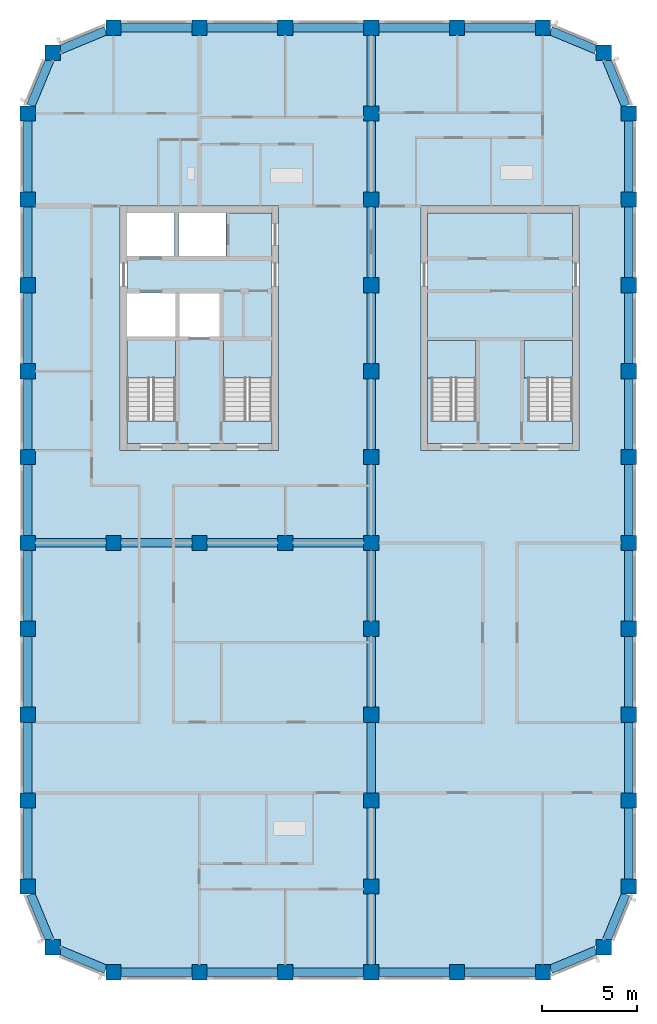
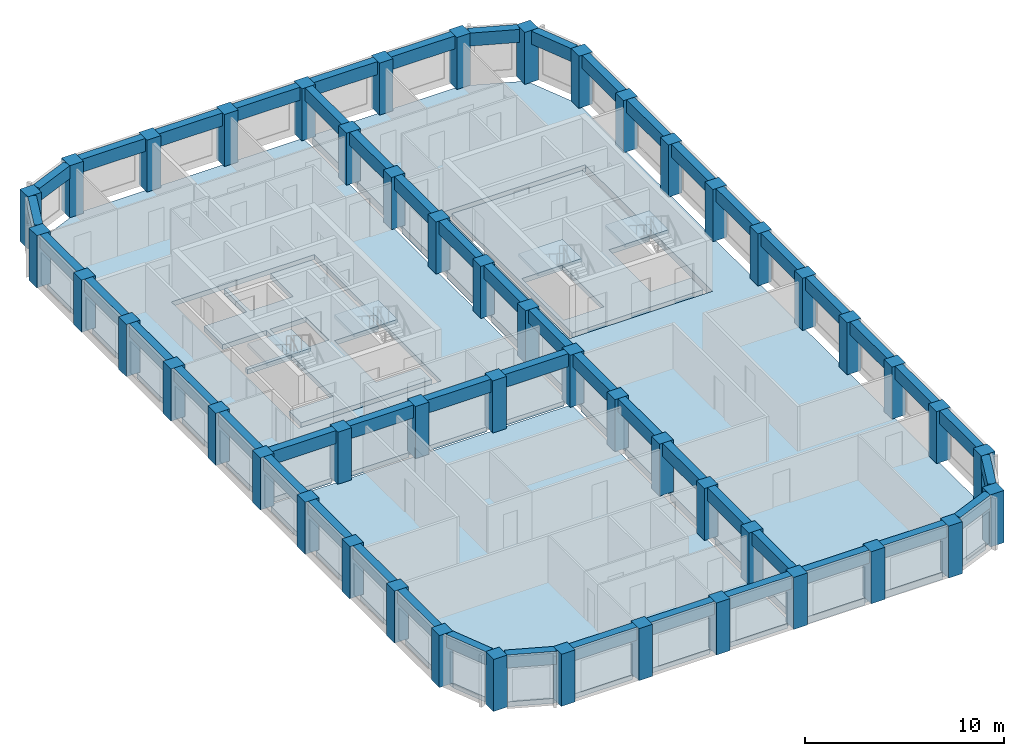
# One storey, part 1 of 9: 51 beams, 49 columns, 9 slabs, 4 elements without a shape of their own.
"""IFC4 building model written with IfcOpenShell, lengths in metres."""

from ifc_helpers import new_model, si_unit, direction, frame, origin, origin_2d, place, context, subcontext, project, spatial, polyline, rectangle, outline, extrude, material, layer, layer_set, material_profile, profile_set, type_object, element, aggregate, save


model = new_model("IFC4")

# Units and contexts
model_context = context("Model", 3, precision=1e-05, world=origin(), true_north=direction((0.0, 1.0)))
body_context = subcontext(model_context, "Body", "Model", "MODEL_VIEW")
ifc_project = project(units=[si_unit("LENGTHUNIT", "METRE"), si_unit("AREAUNIT", "SQUARE_METRE"), si_unit("VOLUMEUNIT", "CUBIC_METRE"), si_unit("PLANEANGLEUNIT", "RADIAN"), si_unit("MASSUNIT", "GRAM", prefix="KILO")], contexts=[model_context])

# Site, building, storey
site_placement = place(None, origin())
site = spatial("IfcSite", under=ifc_project, at=site_placement, CompositionType="ELEMENT")
building_placement = place(site_placement, origin())
building = spatial("IfcBuilding", under=site, at=building_placement, Name="Girih Gate Residences", CompositionType="ELEMENT")
storey_placement = place(building_placement, frame((0.0, 0.0, 213.294921875)))
storey = spatial("IfcBuildingStorey", under=building, at=storey_placement, Name="L59", CompositionType="ELEMENT", Elevation=213.294921875)

# Columns
ifc_material_1 = material(Name="Concrete C60/75", Category="concrete")
ifc_material_profile_1 = material_profile(ifc_material_1, rectangle(XDim=0.800048828125, YDim=0.800048828125, at=origin_2d()))
ifc_profile_set_1 = profile_set([ifc_material_profile_1], Name="Concrete C60/75")
column_type = type_object("IfcColumnType", Name="Pier RC 800x800 Concrete C60/75", PredefinedType="COLUMN", material=ifc_profile_set_1)
for number, where, z_axis, x_axis, name in (
    (1, (4.5, 0.0, 0.0), (0.0, 0.0, 1.0), (1.0, 0.0, 0.0), "Pier P2A L59"),
    (2, (9.0, 0.0, 0.0), (0.0, 0.0, 1.0), (1.0, 0.0, 0.0), "Pier P3A L59"),
    (3, (13.5, 0.0, 0.0), (0.0, 0.0, 1.0), (1.0, 0.0, 0.0), "Pier P4A L59"),
    (4, (18.0, 0.0, 0.0), (0.0, 0.0, 1.0), (1.0, 0.0, 0.0), "Pier P5A L59"),
    (5, (22.5, 0.0, 0.0), (0.0, 0.0, 1.0), (1.0, 0.0, 0.0), "Pier P6A L59"),
    (6, (27.0, 0.0, 0.0), (0.0, 0.0, 1.0), (1.0, 0.0, 0.0), "Pier P7A L59"),
    (7, (1.318115234375, 1.318115234375, 0.0), (0.0, 0.0, 1.0), (1.0, 0.0, 0.0), "Pier P1ANE L59"),
    (8, (30.181884765625, 1.318115234375, 0.0), (0.0, 0.0, 1.0), (1.0, 0.0, 0.0), "Pier P8ANW L59"),
    (9, (0.0, 4.5, 0.0), (0.0, 0.0, 1.0), (1.0, 0.0, 0.0), "Pier P1B L59"),
    (10, (18.0, 4.5, 0.0), (0.0, 0.0, 1.0), (1.0, 0.0, 0.0), "Pier P5B L59"),
    (11, (31.5, 4.5, 0.0), (0.0, 0.0, 1.0), (1.0, 0.0, 0.0), "Pier P8B L59"),
    (12, (0.0, 9.0, 0.0), (0.0, 0.0, 1.0), (1.0, 0.0, 0.0), "Pier P1C L59"),
    (13, (18.0, 9.0, 0.0), (0.0, 0.0, 1.0), (1.0, 0.0, 0.0), "Pier P5C L59"),
    (14, (31.5, 9.0, 0.0), (0.0, 0.0, 1.0), (1.0, 0.0, 0.0), "Pier P8C L59"),
    (15, (0.0, 13.5, 0.0), (0.0, 0.0, 1.0), (1.0, 0.0, 0.0), "Pier P1D L59"),
    (16, (18.0, 13.5, 0.0), (0.0, 0.0, 1.0), (1.0, 0.0, 0.0), "Pier P5D L59"),
    (17, (31.5, 13.5, 0.0), (0.0, 0.0, 1.0), (1.0, 0.0, 0.0), "Pier P8D L59"),
    (18, (0.0, 18.0, 0.0), (0.0, 0.0, 1.0), (1.0, 0.0, 0.0), "Pier P1E L59"),
    (19, (18.0, 18.0, 0.0), (0.0, 0.0, 1.0), (1.0, 0.0, 0.0), "Pier P5E L59"),
    (20, (31.5, 18.0, 0.0), (0.0, 0.0, 1.0), (1.0, 0.0, 0.0), "Pier P8E L59"),
    (21, (0.0, 22.5, 0.0), (0.0, 0.0, 1.0), (1.0, 0.0, 0.0), "Pier P1F L59"),
    (22, (4.5, 22.5, 0.0), (0.0, 0.0, 1.0), (1.0, 0.0, 0.0), "Pier P2F L59"),
    (23, (9.0, 22.5, 0.0), (0.0, 0.0, 1.0), (1.0, 0.0, 0.0), "Pier P3F L59"),
    (24, (13.5, 22.5, 0.0), (0.0, 0.0, 1.0), (1.0, 0.0, 0.0), "Pier P4F L59"),
    (25, (18.0, 22.5, 0.0), (0.0, 0.0, 1.0), (1.0, 0.0, 0.0), "Pier P5F L59"),
    (26, (31.5, 22.5, 0.0), (0.0, 0.0, 1.0), (1.0, 0.0, 0.0), "Pier P8F L59"),
    (27, (0.0, 27.0, 0.0), (0.0, 0.0, 1.0), (1.0, 0.0, 0.0), "Pier P1G L59"),
    (28, (18.0, 27.0, 0.0), (0.0, 0.0, 1.0), (1.0, 0.0, 0.0), "Pier P5G L59"),
    (29, (31.5, 27.0, 0.0), (0.0, 0.0, 1.0), (1.0, 0.0, 0.0), "Pier P8G L59"),
    (30, (0.0, 31.5, 0.0), (0.0, 0.0, 1.0), (1.0, 0.0, 0.0), "Pier P1H L59"),
    (31, (18.0, 31.5, 0.0), (0.0, 0.0, 1.0), (1.0, 0.0, 0.0), "Pier P5H L59"),
    (32, (31.5, 31.5, 0.0), (0.0, 0.0, 1.0), (1.0, 0.0, 0.0), "Pier P8H L59"),
    (33, (0.0, 36.0, 0.0), (0.0, 0.0, 1.0), (1.0, 0.0, 0.0), "Pier P1I L59"),
    (34, (18.0, 36.0, 0.0), (0.0, 0.0, 1.0), (1.0, 0.0, 0.0), "Pier P5I L59"),
    (35, (31.5, 36.0, 0.0), (0.0, 0.0, 1.0), (1.0, 0.0, 0.0), "Pier P8I L59"),
    (36, (0.0, 40.5, 0.0), (0.0, 0.0, 1.0), (1.0, 0.0, 0.0), "Pier P1J L59"),
    (37, (18.0, 40.5, 0.0), (0.0, 0.0, 1.0), (1.0, 0.0, 0.0), "Pier P5J L59"),
    (38, (31.5, 40.5, 0.0), (0.0, 0.0, 1.0), (1.0, 0.0, 0.0), "Pier P8J L59"),
    (39, (0.0, 45.0, 0.0), (0.0, 0.0, 1.0), (1.0, 0.0, 0.0), "Pier P1K L59"),
    (40, (18.0, 45.0, 0.0), (0.0, 0.0, 1.0), (1.0, 0.0, 0.0), "Pier P5K L59"),
    (41, (31.5, 45.0, 0.0), (0.0, 0.0, 1.0), (1.0, 0.0, 0.0), "Pier P8K L59"),
    (42, (1.318115234375, 48.181884765625, 0.0), (0.0, 0.0, 1.0), (1.0, 0.0, 0.0), "Pier P1LSE L59"),
    (43, (30.181884765625, 48.181884765625, 0.0), (0.0, 0.0, 1.0), (1.0, 0.0, 0.0), "Pier P8LSW L59"),
    (44, (4.5, 49.5, 0.0), (0.0, 0.0, 1.0), (1.0, 0.0, 0.0), "Pier P2L L59"),
    (45, (9.0, 49.5, 0.0), (0.0, 0.0, 1.0), (1.0, 0.0, 0.0), "Pier P3L L59"),
    (46, (13.5, 49.5, 0.0), (0.0, 0.0, 1.0), (1.0, 0.0, 0.0), "Pier P4L L59"),
    (47, (18.0, 49.5, 0.0), (0.0, 0.0, 1.0), (1.0, 0.0, 0.0), "Pier P5L L59"),
    (48, (22.5, 49.5, 0.0), (0.0, 0.0, 1.0), (1.0, 0.0, 0.0), "Pier P6L L59"),
    (49, (27.0, 49.5, 0.0), (0.0, 0.0, 1.0), (1.0, 0.0, 0.0), "Pier P7L L59"),
):
    element("IfcColumn", number, at=place(storey_placement, frame(where, z_axis=z_axis, x_axis=x_axis)), inside=storey, type_object=column_type, Name=name, PredefinedType="COLUMN", context=body_context, shape_type="SweptSolid", body=[
        extrude(rectangle(XDim=0.800048828125, YDim=0.800048828125, at=origin_2d()), origin(), (0.0, 0.0, 1.0), 3.2001953125),
    ])

# Beams
ifc_material_profile_2 = material_profile(ifc_material_1, rectangle(XDim=0.449951171875, YDim=0.800048828125, at=origin_2d()))
ifc_profile_set_2 = profile_set([ifc_material_profile_2], Name="Concrete C60/75")
beam_type = type_object("IfcBeamType", Name="Spandrel girder RC 450x800 Concrete C60/75", PredefinedType="BEAM", material=ifc_profile_set_2)
for number, where, z_axis, x_axis, name in (
    (50, (27.39990234375, 0.165771484375, 2.800048828125), (0.923895659062, 0.382644497107, 0.0), (-0.382644497107, 0.923895659062, 0.0), "Spandrel girder SP-P7A-P8ANW L59"),
    (51, (30.34765625, 1.718017578125, 2.800048828125), (0.382644497107, 0.923895659062, 0.0), (-0.923895659062, 0.382644497107, 0.0), "Spandrel girder SP-P8ANW-P8B L59"),
):
    element("IfcBeam", number, at=place(storey_placement, frame(where, z_axis=z_axis, x_axis=x_axis)), inside=storey, type_object=beam_type, Name=name, PredefinedType="BEAM", context=body_context, shape_type="SweptSolid", body=[
        extrude(rectangle(XDim=0.449951171875, YDim=0.800048828125, at=origin_2d()), origin(), (0.0, 0.0, 1.0), 2.578369140625),
    ])
for number, where, z_axis, x_axis, name in (
    (52, (31.5, 4.89990234375, 2.800048828125), (0.0, 1.0, 0.0), (-1.0, 0.0, 0.0), "Spandrel girder SP-P8B-P8C L59"),
    (53, (31.5, 9.39990234375, 2.800048828125), (0.0, 1.0, 0.0), (-1.0, 0.0, 0.0), "Spandrel girder SP-P8C-P8D L59"),
    (54, (31.5, 13.89990234375, 2.800048828125), (0.0, 1.0, 0.0), (-1.0, 0.0, 0.0), "Spandrel girder SP-P8D-P8E L59"),
    (55, (31.5, 18.39990234375, 2.800048828125), (0.0, 1.0, 0.0), (-1.0, 0.0, 0.0), "Spandrel girder SP-P8E-P8F L59"),
    (56, (31.5, 22.89990234375, 2.800048828125), (0.0, 1.0, 0.0), (-1.0, 0.0, 0.0), "Spandrel girder SP-P8F-P8G L59"),
    (57, (31.5, 27.39990234375, 2.800048828125), (0.0, 1.0, 0.0), (-1.0, 0.0, 0.0), "Spandrel girder SP-P8G-P8H L59"),
    (58, (31.5, 31.89990234375, 2.800048828125), (0.0, 1.0, 0.0), (-1.0, 0.0, 0.0), "Spandrel girder SP-P8H-P8I L59"),
    (59, (31.5, 36.39990234375, 2.800048828125), (0.0, 1.0, 0.0), (-1.0, 0.0, 0.0), "Spandrel girder SP-P8I-P8J L59"),
    (60, (31.5, 40.89990234375, 2.800048828125), (0.0, 1.0, 0.0), (-1.0, 0.0, 0.0), "Spandrel girder SP-P8J-P8K L59"),
):
    element("IfcBeam", number, at=place(storey_placement, frame(where, z_axis=z_axis, x_axis=x_axis)), inside=storey, type_object=beam_type, Name=name, PredefinedType="BEAM", context=body_context, shape_type="SweptSolid", body=[
        extrude(rectangle(XDim=0.449951171875, YDim=0.800048828125, at=origin_2d()), origin(), (0.0, 0.0, 1.0), 3.7001953125),
    ])
for number, where, z_axis, x_axis, name in (
    (61, (31.334228515625, 45.39990234375, 2.800048828125), (-0.382644497107, 0.923895659062, 0.0), (-0.923895659062, -0.382644497107, 0.0), "Spandrel girder SP-P8K-P8LSW L59"),
    (62, (29.781982421875, 48.34765625, 2.800048828125), (-0.923895659062, 0.382644497107, 0.0), (-0.382644497107, -0.923895659062, 0.0), "Spandrel girder SP-P8LSW-P7L L59"),
):
    element("IfcBeam", number, at=place(storey_placement, frame(where, z_axis=z_axis, x_axis=x_axis)), inside=storey, type_object=beam_type, Name=name, PredefinedType="BEAM", context=body_context, shape_type="SweptSolid", body=[
        extrude(rectangle(XDim=0.449951171875, YDim=0.800048828125, at=origin_2d()), origin(), (0.0, 0.0, 1.0), 2.578369140625),
    ])
for number, where, z_axis, x_axis, name in (
    (63, (26.60009765625, 49.5, 2.800048828125), (-1.0, 0.0, 0.0), (0.0, -1.0, 0.0), "Spandrel girder SP-P7L-P6L L59"),
    (64, (22.10009765625, 49.5, 2.800048828125), (-1.0, 0.0, 0.0), (0.0, -1.0, 0.0), "Spandrel girder SP-P6L-P5L L59"),
    (65, (17.60009765625, 49.5, 2.800048828125), (-1.0, 0.0, 0.0), (0.0, -1.0, 0.0), "Spandrel girder SP-P5L-P4L L59"),
    (66, (13.10009765625, 49.5, 2.800048828125), (-1.0, 0.0, 0.0), (0.0, -1.0, 0.0), "Spandrel girder SP-P4L-P3L L59"),
    (67, (8.60009765625, 49.5, 2.800048828125), (-1.0, 0.0, 0.0), (0.0, -1.0, 0.0), "Spandrel girder SP-P3L-P2L L59"),
):
    element("IfcBeam", number, at=place(storey_placement, frame(where, z_axis=z_axis, x_axis=x_axis)), inside=storey, type_object=beam_type, Name=name, PredefinedType="BEAM", context=body_context, shape_type="SweptSolid", body=[
        extrude(rectangle(XDim=0.449951171875, YDim=0.800048828125, at=origin_2d()), origin(), (0.0, 0.0, 1.0), 3.7001953125),
    ])
for number, where, z_axis, x_axis, name in (
    (68, (4.10009765625, 49.334228515625, 2.800048828125), (-0.923895659062, -0.382644497107, 0.0), (0.382644497107, -0.923895659062, 0.0), "Spandrel girder SP-P2L-P1LSE L59"),
    (69, (1.15234375, 47.781982421875, 2.800048828125), (-0.382644497107, -0.923895659062, 0.0), (0.923895659062, -0.382644497107, 0.0), "Spandrel girder SP-P1LSE-P1K L59"),
):
    element("IfcBeam", number, at=place(storey_placement, frame(where, z_axis=z_axis, x_axis=x_axis)), inside=storey, type_object=beam_type, Name=name, PredefinedType="BEAM", context=body_context, shape_type="SweptSolid", body=[
        extrude(rectangle(XDim=0.449951171875, YDim=0.800048828125, at=origin_2d()), origin(), (0.0, 0.0, 1.0), 2.578369140625),
    ])
for number, where, z_axis, x_axis, name in (
    (70, (0.0, 44.60009765625, 2.800048828125), (0.0, -1.0, 0.0), (1.0, 0.0, 0.0), "Spandrel girder SP-P1K-P1J L59"),
    (71, (0.0, 40.10009765625, 2.800048828125), (0.0, -1.0, 0.0), (1.0, 0.0, 0.0), "Spandrel girder SP-P1J-P1I L59"),
    (72, (0.0, 35.60009765625, 2.800048828125), (0.0, -1.0, 0.0), (1.0, 0.0, 0.0), "Spandrel girder SP-P1I-P1H L59"),
    (73, (0.0, 31.10009765625, 2.800048828125), (0.0, -1.0, 0.0), (1.0, 0.0, 0.0), "Spandrel girder SP-P1H-P1G L59"),
    (74, (0.0, 26.60009765625, 2.800048828125), (0.0, -1.0, 0.0), (1.0, 0.0, 0.0), "Spandrel girder SP-P1G-P1F L59"),
    (75, (0.0, 22.10009765625, 2.800048828125), (0.0, -1.0, 0.0), (1.0, 0.0, 0.0), "Spandrel girder SP-P1F-P1E L59"),
    (76, (0.0, 17.60009765625, 2.800048828125), (0.0, -1.0, 0.0), (1.0, 0.0, 0.0), "Spandrel girder SP-P1E-P1D L59"),
    (77, (0.0, 13.10009765625, 2.800048828125), (0.0, -1.0, 0.0), (1.0, 0.0, 0.0), "Spandrel girder SP-P1D-P1C L59"),
    (78, (0.0, 8.60009765625, 2.800048828125), (0.0, -1.0, 0.0), (1.0, 0.0, 0.0), "Spandrel girder SP-P1C-P1B L59"),
):
    element("IfcBeam", number, at=place(storey_placement, frame(where, z_axis=z_axis, x_axis=x_axis)), inside=storey, type_object=beam_type, Name=name, PredefinedType="BEAM", context=body_context, shape_type="SweptSolid", body=[
        extrude(rectangle(XDim=0.449951171875, YDim=0.800048828125, at=origin_2d()), origin(), (0.0, 0.0, 1.0), 3.7001953125),
    ])
for number, where, z_axis, x_axis, name in (
    (79, (0.165771484375, 4.10009765625, 2.800048828125), (0.382644497107, -0.923895659062, 0.0), (0.923895659062, 0.382644497107, 0.0), "Spandrel girder SP-P1B-P1ANE L59"),
    (80, (1.718017578125, 1.15234375, 2.800048828125), (0.923895659062, -0.382644497107, 0.0), (0.382644497107, 0.923895659062, 0.0), "Spandrel girder SP-P1ANE-P2A L59"),
):
    element("IfcBeam", number, at=place(storey_placement, frame(where, z_axis=z_axis, x_axis=x_axis)), inside=storey, type_object=beam_type, Name=name, PredefinedType="BEAM", context=body_context, shape_type="SweptSolid", body=[
        extrude(rectangle(XDim=0.449951171875, YDim=0.800048828125, at=origin_2d()), origin(), (0.0, 0.0, 1.0), 2.578369140625),
    ])
for number, where, z_axis, x_axis, name in (
    (81, (4.89990234375, 0.0, 2.800048828125), (1.0, 0.0, 0.0), (0.0, 1.0, 0.0), "Spandrel girder SP-P2A-P3A L59"),
    (82, (9.39990234375, 0.0, 2.800048828125), (1.0, 0.0, 0.0), (0.0, 1.0, 0.0), "Spandrel girder SP-P3A-P4A L59"),
    (83, (13.89990234375, 0.0, 2.800048828125), (1.0, 0.0, 0.0), (0.0, 1.0, 0.0), "Spandrel girder SP-P4A-P5A L59"),
    (84, (18.39990234375, 0.0, 2.800048828125), (1.0, 0.0, 0.0), (0.0, 1.0, 0.0), "Spandrel girder SP-P5A-P6A L59"),
    (85, (22.89990234375, 0.0, 2.800048828125), (1.0, 0.0, 0.0), (0.0, 1.0, 0.0), "Spandrel girder SP-P6A-P7A L59"),
    (86, (18.0, 0.39990234375, 2.800048828125), (0.0, 1.0, 0.0), (-1.0, 0.0, 0.0), "Spandrel girder SP-P5A-P5B L59"),
    (87, (18.0, 4.89990234375, 2.800048828125), (0.0, 1.0, 0.0), (-1.0, 0.0, 0.0), "Spandrel girder SP-P5B-P5C L59"),
    (88, (18.0, 9.39990234375, 2.800048828125), (0.0, 1.0, 0.0), (-1.0, 0.0, 0.0), "Spandrel girder SP-P5C-P5D L59"),
    (89, (18.0, 13.89990234375, 2.800048828125), (0.0, 1.0, 0.0), (-1.0, 0.0, 0.0), "Spandrel girder SP-P5D-P5E L59"),
    (90, (18.0, 18.39990234375, 2.800048828125), (0.0, 1.0, 0.0), (-1.0, 0.0, 0.0), "Spandrel girder SP-P5E-P5F L59"),
    (91, (18.0, 22.89990234375, 2.800048828125), (0.0, 1.0, 0.0), (-1.0, 0.0, 0.0), "Spandrel girder SP-P5F-P5G L59"),
    (92, (18.0, 27.39990234375, 2.800048828125), (0.0, 1.0, 0.0), (-1.0, 0.0, 0.0), "Spandrel girder SP-P5G-P5H L59"),
    (93, (18.0, 31.89990234375, 2.800048828125), (0.0, 1.0, 0.0), (-1.0, 0.0, 0.0), "Spandrel girder SP-P5H-P5I L59"),
    (94, (18.0, 36.39990234375, 2.800048828125), (0.0, 1.0, 0.0), (-1.0, 0.0, 0.0), "Spandrel girder SP-P5I-P5J L59"),
    (95, (18.0, 40.89990234375, 2.800048828125), (0.0, 1.0, 0.0), (-1.0, 0.0, 0.0), "Spandrel girder SP-P5J-P5K L59"),
    (96, (18.0, 45.39990234375, 2.800048828125), (0.0, 1.0, 0.0), (-1.0, 0.0, 0.0), "Spandrel girder SP-P5K-P5L L59"),
    (97, (0.39990234375, 22.5, 2.800048828125), (1.0, 0.0, 0.0), (0.0, 1.0, 0.0), "Spandrel girder SP-P1F-P2F L59"),
    (98, (4.89990234375, 22.5, 2.800048828125), (1.0, 0.0, 0.0), (0.0, 1.0, 0.0), "Spandrel girder SP-P2F-P3F L59"),
    (99, (9.39990234375, 22.5, 2.800048828125), (1.0, 0.0, 0.0), (0.0, 1.0, 0.0), "Spandrel girder SP-P3F-P4F L59"),
    (100, (13.89990234375, 22.5, 2.800048828125), (1.0, 0.0, 0.0), (0.0, 1.0, 0.0), "Spandrel girder SP-P4F-P5F L59"),
):
    element("IfcBeam", number, at=place(storey_placement, frame(where, z_axis=z_axis, x_axis=x_axis)), inside=storey, type_object=beam_type, Name=name, PredefinedType="BEAM", context=body_context, shape_type="SweptSolid", body=[
        extrude(rectangle(XDim=0.449951171875, YDim=0.800048828125, at=origin_2d()), origin(), (0.0, 0.0, 1.0), 3.7001953125),
    ])

# Slabs
ifc_material_2 = material(Name="Concrete C40/50", Category="concrete")
ifc_layer_1 = layer(ifc_material_2, 0.300048828125)
ifc_layer_set_1 = layer_set([ifc_layer_1], Name="Core floor slab 300")
slab_type_1 = type_object("IfcSlabType", Name="Core floor slab 300", PredefinedType="FLOOR", material=ifc_layer_set_1)
slab_1_placement = place(storey_placement, frame((0.0, 0.0, -0.2998046875)))
element("IfcSlab", 101, at=slab_1_placement, inside=storey, type_object=slab_type_1, Name="L59 W core floor", PredefinedType="FLOOR", context=body_context, shape_type="SweptSolid", body=[
    extrude(outline(polyline([(12.800048828125, 27.699951171875), (5.199951171875, 27.699951171875), (5.199951171875, 28.900634765625), (7.75, 28.900634765625), (7.75, 33.10009765625), (5.199951171875, 33.10009765625), (5.199951171875, 33.300048828125), (7.75, 33.300048828125), (7.75, 35.60009765625), (5.199951171875, 35.60009765625), (5.199951171875, 37.5), (7.699951171875, 37.5), (7.699951171875, 39.800048828125), (7.89990234375, 39.800048828125), (7.89990234375, 37.5), (10.39990234375, 37.5), (10.39990234375, 39.800048828125), (12.800048828125, 39.800048828125), (12.800048828125, 33.10009765625), (10.25, 33.10009765625), (10.25, 28.900634765625), (12.800048828125, 28.900634765625), (12.800048828125, 27.699951171875)]), holes=[polyline([(7.949951171875, 33.300048828125), (10.050048828125, 33.300048828125), (10.050048828125, 35.60009765625), (7.949951171875, 35.60009765625), (7.949951171875, 33.300048828125)])]), origin(), (0.0, 0.0, 1.0), 0.2998046875),
])
slab_2_placement = place(storey_placement, frame((0.0, 0.0, -0.2998046875)))
element("IfcSlab", 102, at=slab_2_placement, inside=storey, type_object=slab_type_1, Name="L59 C core floor", PredefinedType="FLOOR", context=body_context, shape_type="SweptSolid", body=[
    extrude(outline(polyline([(28.550048828125, 27.699951171875), (20.949951171875, 27.699951171875), (20.949951171875, 39.800048828125), (28.550048828125, 39.800048828125), (28.550048828125, 33.10009765625), (26.199951171875, 33.10009765625), (26.199951171875, 28.900634765625), (28.550048828125, 28.900634765625), (28.550048828125, 27.699951171875)]), holes=[polyline([(23.5, 28.900634765625), (23.5, 33.10009765625), (21.14990234375, 33.10009765625), (21.14990234375, 28.900634765625), (23.5, 28.900634765625)])]), origin(), (0.0, 0.0, 1.0), 0.2998046875),
])
ifc_layer_2 = layer(ifc_material_2, 0.300048828125)
ifc_layer_set_2 = layer_set([ifc_layer_2], Name="Floor slab PT 300 Concrete C40/50")
slab_type_2 = type_object("IfcSlabType", Name="Floor slab PT 300 Concrete C40/50", PredefinedType="FLOOR", material=ifc_layer_set_2)
slab_3_placement = place(storey_placement, frame((0.0, 0.0, -0.2998046875)))
element("IfcSlab", 103, at=slab_3_placement, inside=storey, type_object=slab_type_2, Name="Floor slab L59 0", PredefinedType="FLOOR", context=body_context, shape_type="SweptSolid", body=[
    extrude(outline(polyline([(13.89990234375, 0.22509765625), (17.60009765625, 0.22509765625), (17.60009765625, 0.39990234375), (17.77490234375, 0.39990234375), (17.77490234375, 4.10009765625), (17.60009765625, 4.10009765625), (17.60009765625, 4.89990234375), (17.77490234375, 4.89990234375), (17.77490234375, 8.60009765625), (17.60009765625, 8.60009765625), (17.60009765625, 9.39990234375), (17.77490234375, 9.39990234375), (17.77490234375, 13.10009765625), (17.60009765625, 13.10009765625), (17.60009765625, 13.89990234375), (17.77490234375, 13.89990234375), (17.77490234375, 17.60009765625), (17.60009765625, 17.60009765625), (17.60009765625, 18.39990234375), (17.77490234375, 18.39990234375), (17.77490234375, 22.10009765625), (17.60009765625, 22.10009765625), (17.60009765625, 22.27490234375), (13.89990234375, 22.27490234375), (13.89990234375, 22.10009765625), (13.10009765625, 22.10009765625), (13.10009765625, 22.27490234375), (9.39990234375, 22.27490234375), (9.39990234375, 22.10009765625), (8.60009765625, 22.10009765625), (8.60009765625, 22.27490234375), (4.89990234375, 22.27490234375), (4.89990234375, 22.10009765625), (4.10009765625, 22.10009765625), (4.10009765625, 22.27490234375), (0.39990234375, 22.27490234375), (0.39990234375, 22.10009765625), (0.22509765625, 22.10009765625), (0.22509765625, 18.39990234375), (0.39990234375, 18.39990234375), (0.39990234375, 17.60009765625), (0.22509765625, 17.60009765625), (0.22509765625, 13.89990234375), (0.39990234375, 13.89990234375), (0.39990234375, 13.10009765625), (0.22509765625, 13.10009765625), (0.22509765625, 9.39990234375), (0.39990234375, 9.39990234375), (0.39990234375, 8.60009765625), (0.22509765625, 8.60009765625), (0.22509765625, 4.89990234375), (0.39990234375, 4.89990234375), (0.39990234375, 4.122314453125), (1.395751953125, 1.718017578125), (1.718017578125, 1.718017578125), (1.718017578125, 1.395751953125), (4.122314453125, 0.39990234375), (4.89990234375, 0.39990234375), (4.89990234375, 0.22509765625), (8.60009765625, 0.22509765625), (8.60009765625, 0.39990234375), (9.39990234375, 0.39990234375), (9.39990234375, 0.22509765625), (13.10009765625, 0.22509765625), (13.10009765625, 0.39990234375), (13.89990234375, 0.39990234375), (13.89990234375, 0.22509765625)])), origin(), (0.0, 0.0, 1.0), 0.2998046875),
])
slab_4_placement = place(storey_placement, frame((0.0, 0.0, -0.2998046875)))
element("IfcSlab", 104, at=slab_4_placement, inside=storey, type_object=slab_type_2, Name="Floor slab L59 2", PredefinedType="FLOOR", context=body_context, shape_type="SweptSolid", body=[
    extrude(outline(polyline([(0.22509765625, 26.60009765625), (0.22509765625, 22.89990234375), (0.39990234375, 22.89990234375), (0.39990234375, 22.72509765625), (4.10009765625, 22.72509765625), (4.10009765625, 22.89990234375), (4.89990234375, 22.89990234375), (4.89990234375, 22.72509765625), (8.60009765625, 22.72509765625), (8.60009765625, 22.89990234375), (9.39990234375, 22.89990234375), (9.39990234375, 22.72509765625), (13.10009765625, 22.72509765625), (13.10009765625, 22.89990234375), (13.89990234375, 22.89990234375), (13.89990234375, 22.72509765625), (17.60009765625, 22.72509765625), (17.60009765625, 22.89990234375), (17.77490234375, 22.89990234375), (17.77490234375, 26.60009765625), (17.60009765625, 26.60009765625), (17.60009765625, 27.39990234375), (17.77490234375, 27.39990234375), (17.77490234375, 31.10009765625), (17.60009765625, 31.10009765625), (17.60009765625, 31.89990234375), (17.77490234375, 31.89990234375), (17.77490234375, 35.60009765625), (17.60009765625, 35.60009765625), (17.60009765625, 36.39990234375), (17.77490234375, 36.39990234375), (17.77490234375, 40.10009765625), (17.60009765625, 40.10009765625), (17.60009765625, 40.89990234375), (17.77490234375, 40.89990234375), (17.77490234375, 44.60009765625), (17.60009765625, 44.60009765625), (17.60009765625, 45.39990234375), (17.77490234375, 45.39990234375), (17.77490234375, 49.10009765625), (17.60009765625, 49.10009765625), (17.60009765625, 49.27490234375), (13.89990234375, 49.27490234375), (13.89990234375, 49.10009765625), (13.10009765625, 49.10009765625), (13.10009765625, 49.27490234375), (9.39990234375, 49.27490234375), (9.39990234375, 49.10009765625), (8.60009765625, 49.10009765625), (8.60009765625, 49.27490234375), (4.89990234375, 49.27490234375), (4.89990234375, 49.10009765625), (4.122314453125, 49.10009765625), (1.718017578125, 48.104248046875), (1.718017578125, 47.781982421875), (1.395751953125, 47.781982421875), (0.39990234375, 45.377685546875), (0.39990234375, 44.60009765625), (0.22509765625, 44.60009765625), (0.22509765625, 40.89990234375), (0.39990234375, 40.89990234375), (0.39990234375, 40.10009765625), (0.22509765625, 40.10009765625), (0.22509765625, 36.39990234375), (0.39990234375, 36.39990234375), (0.39990234375, 35.60009765625), (0.22509765625, 35.60009765625), (0.22509765625, 31.89990234375), (0.39990234375, 31.89990234375), (0.39990234375, 31.10009765625), (0.22509765625, 31.10009765625), (0.22509765625, 27.39990234375), (0.39990234375, 27.39990234375), (0.39990234375, 26.60009765625), (0.22509765625, 26.60009765625)]), holes=[polyline([(13.14990234375, 40.14990234375), (13.14990234375, 27.35009765625), (4.85009765625, 27.35009765625), (4.85009765625, 40.14990234375), (13.14990234375, 40.14990234375)])]), origin(), (0.0, 0.0, 1.0), 0.2998046875),
])
ifc_layer_3 = layer(ifc_material_2, 0.449951171875)
ifc_layer_set_3 = layer_set([ifc_layer_3], Name="Floor slab PT 450 Concrete C40/50")
slab_type_3 = type_object("IfcSlabType", Name="Floor slab PT 450 Concrete C40/50", PredefinedType="FLOOR", material=ifc_layer_set_3)
slab_5_placement = place(storey_placement, frame((0.0, 0.0, -0.449951171875)))
element("IfcSlab", 105, at=slab_5_placement, inside=storey, type_object=slab_type_3, Name="Floor slab L59 1", PredefinedType="FLOOR", context=body_context, shape_type="SweptSolid", body=[
    extrude(outline(polyline([(22.89990234375, 0.22509765625), (26.60009765625, 0.22509765625), (26.60009765625, 0.39990234375), (27.377685546875, 0.39990234375), (29.781982421875, 1.395751953125), (29.781982421875, 1.718017578125), (30.104248046875, 1.718017578125), (31.10009765625, 4.122314453125), (31.10009765625, 4.89990234375), (31.27490234375, 4.89990234375), (31.27490234375, 8.60009765625), (31.10009765625, 8.60009765625), (31.10009765625, 9.39990234375), (31.27490234375, 9.39990234375), (31.27490234375, 13.10009765625), (31.10009765625, 13.10009765625), (31.10009765625, 13.89990234375), (31.27490234375, 13.89990234375), (31.27490234375, 17.60009765625), (31.10009765625, 17.60009765625), (31.10009765625, 18.39990234375), (31.27490234375, 18.39990234375), (31.27490234375, 22.10009765625), (31.10009765625, 22.10009765625), (31.10009765625, 22.89990234375), (31.27490234375, 22.89990234375), (31.27490234375, 26.60009765625), (31.10009765625, 26.60009765625), (31.10009765625, 27.39990234375), (31.27490234375, 27.39990234375), (31.27490234375, 31.10009765625), (31.10009765625, 31.10009765625), (31.10009765625, 31.89990234375), (31.27490234375, 31.89990234375), (31.27490234375, 35.60009765625), (31.10009765625, 35.60009765625), (31.10009765625, 36.39990234375), (31.27490234375, 36.39990234375), (31.27490234375, 40.10009765625), (31.10009765625, 40.10009765625), (31.10009765625, 40.89990234375), (31.27490234375, 40.89990234375), (31.27490234375, 44.60009765625), (31.10009765625, 44.60009765625), (31.10009765625, 45.377685546875), (30.104248046875, 47.781982421875), (29.781982421875, 47.781982421875), (29.781982421875, 48.104248046875), (27.377685546875, 49.10009765625), (26.60009765625, 49.10009765625), (26.60009765625, 49.27490234375), (22.89990234375, 49.27490234375), (22.89990234375, 49.10009765625), (22.10009765625, 49.10009765625), (22.10009765625, 49.27490234375), (18.39990234375, 49.27490234375), (18.39990234375, 49.10009765625), (18.22509765625, 49.10009765625), (18.22509765625, 45.39990234375), (18.39990234375, 45.39990234375), (18.39990234375, 44.60009765625), (18.22509765625, 44.60009765625), (18.22509765625, 40.89990234375), (18.39990234375, 40.89990234375), (18.39990234375, 40.10009765625), (18.22509765625, 40.10009765625), (18.22509765625, 36.39990234375), (18.39990234375, 36.39990234375), (18.39990234375, 35.60009765625), (18.22509765625, 35.60009765625), (18.22509765625, 31.89990234375), (18.39990234375, 31.89990234375), (18.39990234375, 31.10009765625), (18.22509765625, 31.10009765625), (18.22509765625, 27.39990234375), (18.39990234375, 27.39990234375), (18.39990234375, 26.60009765625), (18.22509765625, 26.60009765625), (18.22509765625, 22.89990234375), (18.39990234375, 22.89990234375), (18.39990234375, 22.10009765625), (18.22509765625, 22.10009765625), (18.22509765625, 18.39990234375), (18.39990234375, 18.39990234375), (18.39990234375, 17.60009765625), (18.22509765625, 17.60009765625), (18.22509765625, 13.89990234375), (18.39990234375, 13.89990234375), (18.39990234375, 13.10009765625), (18.22509765625, 13.10009765625), (18.22509765625, 9.39990234375), (18.39990234375, 9.39990234375), (18.39990234375, 8.60009765625), (18.22509765625, 8.60009765625), (18.22509765625, 4.89990234375), (18.39990234375, 4.89990234375), (18.39990234375, 4.10009765625), (18.22509765625, 4.10009765625), (18.22509765625, 0.39990234375), (18.39990234375, 0.39990234375), (18.39990234375, 0.22509765625), (22.10009765625, 0.22509765625), (22.10009765625, 0.39990234375), (22.89990234375, 0.39990234375), (22.89990234375, 0.22509765625)]), holes=[polyline([(28.89990234375, 40.14990234375), (28.89990234375, 27.35009765625), (20.60009765625, 27.35009765625), (20.60009765625, 40.14990234375), (28.89990234375, 40.14990234375)])]), origin(), (0.0, 0.0, 1.0), 0.449951171875),
])

# Stair, slab
stair_type_1 = type_object("IfcStairType", Name="Exit stair", PredefinedType="HALF_TURN_STAIR", material=ifc_material_2)
stair_1_placement = place(storey_placement, origin())
stair_1 = element("IfcStair", 106, at=stair_1_placement, inside=storey, type_object=stair_type_1, Name="L59 Exit Stair ST-W1", PredefinedType="HALF_TURN_STAIR")
ifc_layer_4 = layer(ifc_material_2, 0.199951171875)
ifc_layer_set_4 = layer_set([ifc_layer_4], Name="Stair landing 200")
slab_type_4 = type_object("IfcSlabType", Name="Stair landing 200", PredefinedType="LANDING", material=ifc_layer_set_4)
slab_6_placement = place(storey_placement, frame((0.0, 0.0, 1.400146484375)))
slab_6 = element("IfcSlab", 107, at=slab_6_placement, type_object=slab_type_4, Name="ST-W1 landing 1", PredefinedType="LANDING", context=body_context, shape_type="SweptSolid", body=[
    extrude(outline(polyline([(7.75, 31.14990234375), (7.75, 33.10009765625), (5.199951171875, 33.10009765625), (5.199951171875, 31.14990234375), (7.75, 31.14990234375)])), origin(), (0.0, 0.0, 1.0), 0.199951171875),
])
aggregate(stair_1, [slab_6])

stair_2_placement = place(storey_placement, origin())
stair_2 = element("IfcStair", 108, at=stair_2_placement, inside=storey, type_object=stair_type_1, Name="L59 Exit Stair ST-W2", PredefinedType="HALF_TURN_STAIR")
slab_7_placement = place(storey_placement, frame((0.0, 0.0, 1.400146484375)))
slab_7 = element("IfcSlab", 109, at=slab_7_placement, type_object=slab_type_4, Name="ST-W2 landing 1", PredefinedType="LANDING", context=body_context, shape_type="SweptSolid", body=[
    extrude(outline(polyline([(12.800048828125, 31.14990234375), (12.800048828125, 33.10009765625), (10.25, 33.10009765625), (10.25, 31.14990234375), (12.800048828125, 31.14990234375)])), origin(), (0.0, 0.0, 1.0), 0.199951171875),
])
aggregate(stair_2, [slab_7])

stair_type_2 = type_object("IfcStairType", Name="Exit stair C core", PredefinedType="HALF_TURN_STAIR", material=ifc_material_2)
stair_3_placement = place(storey_placement, origin())
stair_3 = element("IfcStair", 110, at=stair_3_placement, inside=storey, type_object=stair_type_2, Name="L59 Exit Stair ST-C1", PredefinedType="HALF_TURN_STAIR")
slab_8_placement = place(storey_placement, frame((0.0, 0.0, 1.400146484375)))
slab_8 = element("IfcSlab", 111, at=slab_8_placement, type_object=slab_type_4, Name="ST-C1 landing 1", PredefinedType="LANDING", context=body_context, shape_type="SweptSolid", body=[
    extrude(outline(polyline([(23.5, 31.14990234375), (23.5, 33.10009765625), (20.949951171875, 33.10009765625), (20.949951171875, 31.14990234375), (23.5, 31.14990234375)])), origin(), (0.0, 0.0, 1.0), 0.199951171875),
])
aggregate(stair_3, [slab_8])

stair_4_placement = place(storey_placement, origin())
stair_4 = element("IfcStair", 112, at=stair_4_placement, inside=storey, type_object=stair_type_2, Name="L59 Exit Stair ST-C2", PredefinedType="HALF_TURN_STAIR")
slab_9_placement = place(storey_placement, frame((0.0, 0.0, 1.400146484375)))
slab_9 = element("IfcSlab", 113, at=slab_9_placement, type_object=slab_type_4, Name="ST-C2 landing 1", PredefinedType="LANDING", context=body_context, shape_type="SweptSolid", body=[
    extrude(outline(polyline([(28.550048828125, 31.14990234375), (28.550048828125, 33.10009765625), (26.0, 33.10009765625), (26.0, 31.14990234375), (28.550048828125, 31.14990234375)])), origin(), (0.0, 0.0, 1.0), 0.199951171875),
])
aggregate(stair_4, [slab_9])

save(model, "model.ifc")
